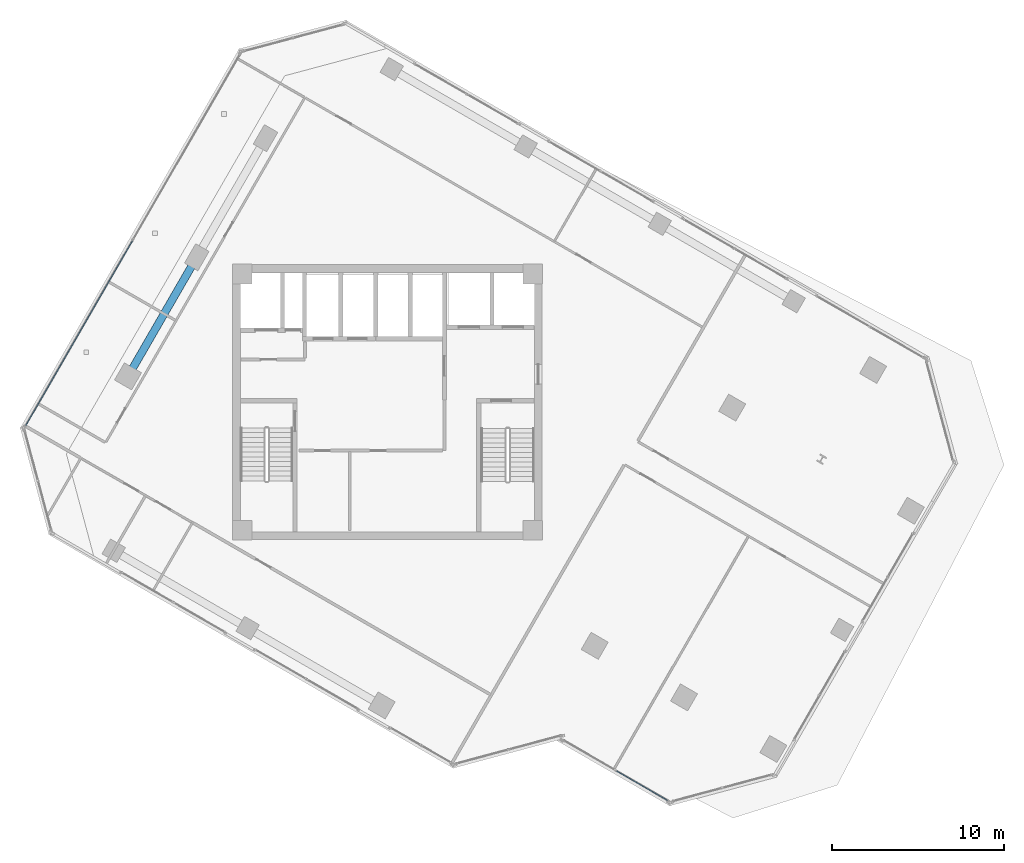
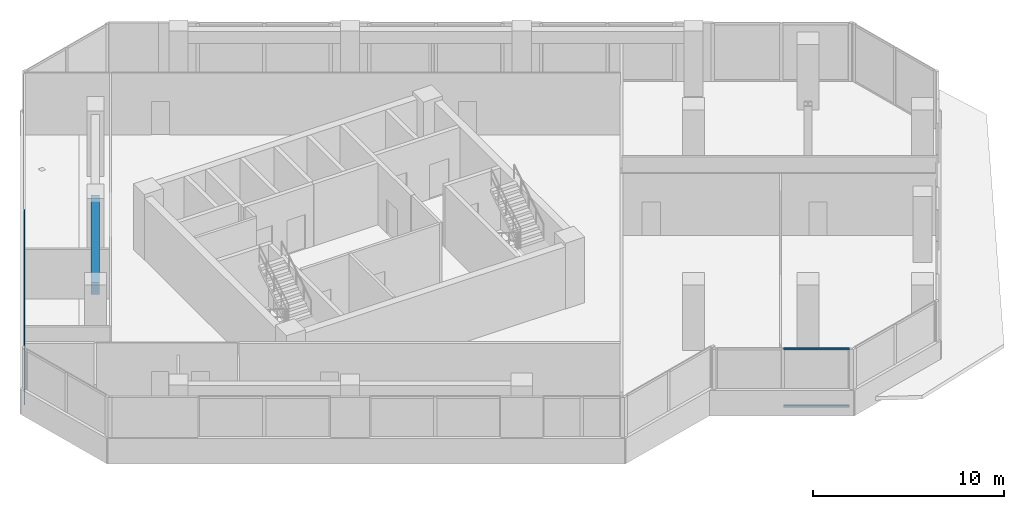
# One storey, part 7 of 21: 4 members, 1 beam, 2 elements without a shape of their own.
"""IFC4 building model written with IfcOpenShell, lengths in metres."""

from ifc_helpers import new_model, si_unit, direction, frame, origin, origin_2d, place, context, subcontext, project, spatial, rectangle, hollow_rectangle, extrude, source, transform, mapped, material, material_profile, profile_set, type_object, element, aggregate, save


model = new_model("IFC4")

# Units and contexts
model_context = context("Model", 3, precision=1e-05, world=origin(), true_north=direction((0.0, 1.0)))
body_context = subcontext(model_context, "Body", "Model", "MODEL_VIEW")
ifc_project = project(units=[si_unit("LENGTHUNIT", "METRE"), si_unit("AREAUNIT", "SQUARE_METRE"), si_unit("VOLUMEUNIT", "CUBIC_METRE"), si_unit("PLANEANGLEUNIT", "RADIAN"), si_unit("MASSUNIT", "GRAM", prefix="KILO")], contexts=[model_context])

# Site, building, storey
site_placement = place(None, origin())
site = spatial("IfcSite", under=ifc_project, at=site_placement, CompositionType="ELEMENT")
building_placement = place(site_placement, origin())
building = spatial("IfcBuilding", under=site, at=building_placement, Name="Torre Montelarca", CompositionType="ELEMENT")
storey_placement = place(building_placement, frame((0.0, 0.0, 179.199951171875)))
storey = spatial("IfcBuildingStorey", under=building, at=storey_placement, Name="L40", CompositionType="ELEMENT", Elevation=179.199951171875)

# Beam
ifc_material_1 = material(Name="Concrete C55/67", Category="concrete")
ifc_material_profile_1 = material_profile(ifc_material_1, rectangle(XDim=0.449951171875, YDim=0.75, at=origin_2d()), Name="RCB450X750", Category="concrete")
ifc_profile_set_1 = profile_set([ifc_material_profile_1], Name="Concrete C55/67")
beam_type = type_object("IfcBeamType", Name="BM-SP-RC750-EXT", PredefinedType="SPANDREL", material=ifc_profile_set_1)
shared_shape_1 = source(origin(), body_context, "Body", "SweptSolid", [
    extrude(rectangle(XDim=0.449951171875, YDim=0.75, at=origin_2d()), origin(), (0.0, 0.0, 1.0), 8.0),
])
beam_placement = place(storey_placement, frame((2.907470703125, 33.496826171875, 3.5849609375), z_axis=(0.49999894854, 0.866026010844, 0.0), x_axis=(-0.866026010844, 0.49999894854, 0.0)))
element("IfcBeam", 1, at=beam_placement, inside=storey, type_object=beam_type, Name="L40 Grid Girder Y 24.0-32.0 at X=4.7", PredefinedType="SPANDREL", context=body_context, shape_type="MappedRepresentation", body=[
    mapped(shared_shape_1, transform((0.0, 0.0, 0.0), scale=1.0)),
])

# Curtain wall, members
ifc_material_2 = material(Name="Insulated low-E laminated glass", Category="glass")
curtain_wall_type = type_object("IfcCurtainWallType", Name="CW-SYS-Z2", PredefinedType="USERDEFINED", material=ifc_material_2)
curtain_wall_1_placement = place(storey_placement, origin())
curtain_wall_1 = element("IfcCurtainWall", 2, at=curtain_wall_1_placement, inside=storey, type_object=curtain_wall_type, Name="L40 Curtain Wall Run CW-T3-L40-E10-B1", ObjectType="UNITISED GLAZING", PredefinedType="USERDEFINED")
ifc_material_3 = material(Name="Anodised aluminium AA 6063-T6", Category="aluminium")
ifc_material_profile_2 = material_profile(ifc_material_3, hollow_rectangle(XDim=0.06494140625, YDim=0.139892578125, WallThickness=0.00390625, InnerFilletRadius=0.00390625, OuterFilletRadius=0.008056640625, at=origin_2d()), Name="ALU65X140X4", Category="aluminium")
ifc_profile_set_2 = profile_set([ifc_material_profile_2], Name="Anodised aluminium AA 6063-T6")
member_type = type_object("IfcMemberType", Name="CWT-ALU140", PredefinedType="USERDEFINED", material=ifc_profile_set_2)
shared_shape_2 = source(origin(), body_context, "Body", "SweptSolid", [
    extrude(hollow_rectangle(XDim=0.06494140625, YDim=0.139892578125, WallThickness=0.00390625, InnerFilletRadius=0.00390625, OuterFilletRadius=0.008056640625, at=origin_2d()), origin(), (0.0, 0.0, 1.0), 12.436767578125),
])
member_1_placement = place(storey_placement, frame((3.169677734375, 41.390869140625, 0.032470703125), z_axis=(-0.499994339341, -0.866028671943, 0.0), x_axis=(0.866028671943, -0.499994339341, 0.0)))
member_1 = element("IfcMember", 3, at=member_1_placement, type_object=member_type, Name="CW transom 2.1", ObjectType="TRANSOM", PredefinedType="USERDEFINED", context=body_context, shape_type="MappedRepresentation", body=[
    mapped(shared_shape_2, transform((0.0, 0.0, 0.0), scale=1.0)),
])
member_2_placement = place(storey_placement, frame((3.169677734375, 41.390869140625, 3.6875), z_axis=(-0.499994339341, -0.866028671943, 0.0), x_axis=(0.866028671943, -0.499994339341, 0.0)))
member_2 = element("IfcMember", 4, at=member_2_placement, type_object=member_type, Name="CW transom 2.2", ObjectType="TRANSOM", PredefinedType="USERDEFINED", context=body_context, shape_type="MappedRepresentation", body=[
    mapped(shared_shape_2, transform((0.0, 0.0, 0.0), scale=1.0)),
])
aggregate(curtain_wall_1, [member_1, member_2])

curtain_wall_2_placement = place(storey_placement, origin())
curtain_wall_2 = element("IfcCurtainWall", 5, at=curtain_wall_2_placement, inside=storey, type_object=curtain_wall_type, Name="L40 Curtain Wall Run CW-T3-L40-E04-B1", ObjectType="UNITISED GLAZING", PredefinedType="USERDEFINED")
shared_shape_3 = source(origin(), body_context, "Body", "SweptSolid", [
    extrude(hollow_rectangle(XDim=0.06494140625, YDim=0.139892578125, WallThickness=0.00390625, InnerFilletRadius=0.00390625, OuterFilletRadius=0.008056640625, at=origin_2d()), origin(), (0.0, 0.0, 1.0), 3.448486328125),
])
member_3_placement = place(storey_placement, frame((31.310546875, 10.551025390625, 0.032470703125), z_axis=(0.86604765406, -0.499961459411, 0.0), x_axis=(0.499961459411, 0.86604765406, 0.0)))
member_3 = element("IfcMember", 6, at=member_3_placement, type_object=member_type, Name="CW transom 2.1", ObjectType="TRANSOM", PredefinedType="USERDEFINED", context=body_context, shape_type="MappedRepresentation", body=[
    mapped(shared_shape_3, transform((0.0, 0.0, 0.0), scale=1.0)),
])
member_4_placement = place(storey_placement, frame((31.310546875, 10.551025390625, 3.6875), z_axis=(0.86604765406, -0.499961459411, 0.0), x_axis=(0.499961459411, 0.86604765406, 0.0)))
member_4 = element("IfcMember", 7, at=member_4_placement, type_object=member_type, Name="CW transom 2.2", ObjectType="TRANSOM", PredefinedType="USERDEFINED", context=body_context, shape_type="MappedRepresentation", body=[
    mapped(shared_shape_3, transform((0.0, 0.0, 0.0), scale=1.0)),
])
aggregate(curtain_wall_2, [member_3, member_4])

save(model, "model.ifc")
